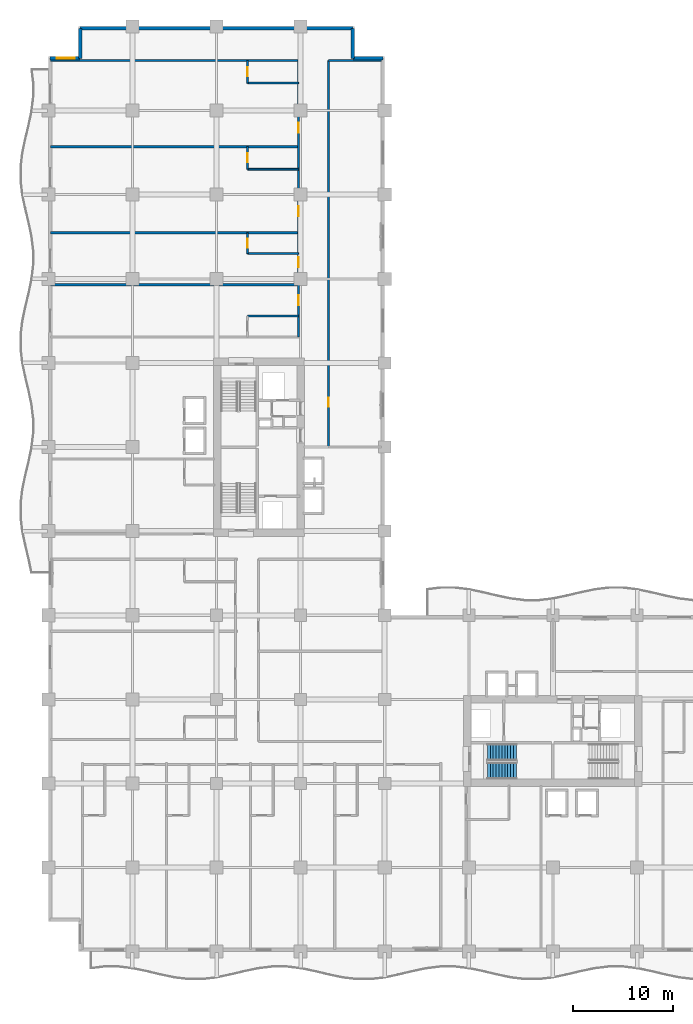
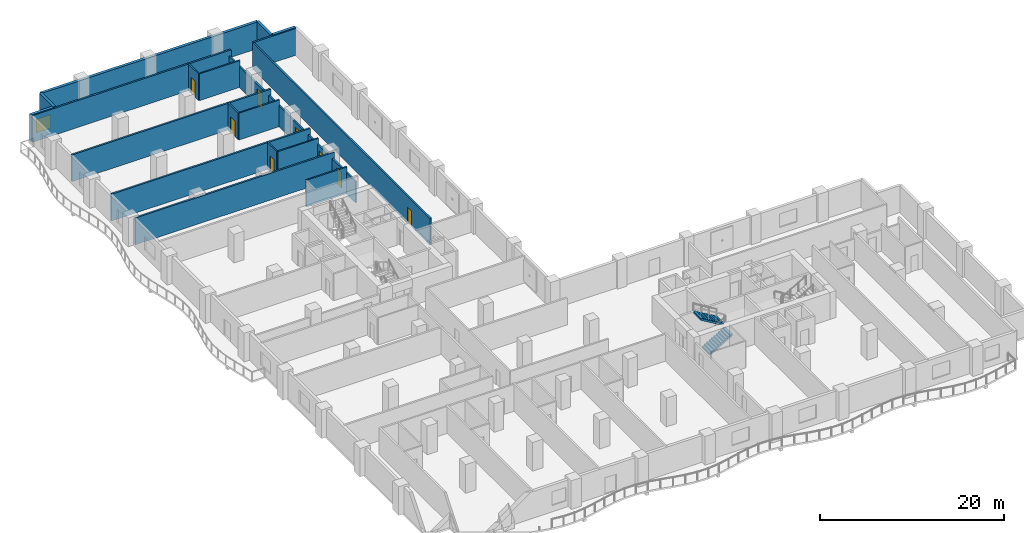
# One storey, part 11 of 18: 19 walls, 8 doors, 2 stair flights, 1 window, 9 openings, 1 element without a shape of its own.
"""IFC4 building model written with IfcOpenShell, lengths in metres."""

from ifc_helpers import new_model, si_unit, direction, frame, frame_2d, origin, place, context, subcontext, project, spatial, polyline, rectangle, outline, extrude, material, layer, layer_set, type_object, element, fill, aggregate, save


model = new_model("IFC4")

# Units and contexts
model_context = context("Model", 3, precision=1e-05, world=origin(), true_north=direction((0.0, 1.0)))
body_context = subcontext(model_context, "Body", "Model", "MODEL_VIEW")
ifc_project = project(units=[si_unit("LENGTHUNIT", "METRE"), si_unit("AREAUNIT", "SQUARE_METRE"), si_unit("VOLUMEUNIT", "CUBIC_METRE"), si_unit("PLANEANGLEUNIT", "RADIAN"), si_unit("MASSUNIT", "GRAM", prefix="KILO")], contexts=[model_context])

# Site, building, storey
site_placement = place(None, origin())
site = spatial("IfcSite", under=ifc_project, at=site_placement, CompositionType="ELEMENT")
building_placement = place(site_placement, origin())
building = spatial("IfcBuilding", under=site, at=building_placement, Name="Koriwani Terraces Tower", CompositionType="ELEMENT")
storey_placement = place(building_placement, frame((0.0, 0.0, 100.0)))
storey = spatial("IfcBuildingStorey", under=building, at=storey_placement, Name="L23", CompositionType="ELEMENT", Elevation=100.0)

# Wall, openings, doors
ifc_material_1 = material(Name="Autoclaved Cellular Concrete Blockwork", Category="masonry")
ifc_layer_1 = layer(ifc_material_1, 0.199951171875, Name="Autoclaved Cellular Concrete Blockwork")
ifc_layer_set_1 = layer_set([ifc_layer_1], Name="Autoclaved Cellular Concrete Blockwork")
wall_type_1 = type_object("IfcWallType", Name="WALL_CORRIDOR_200", PredefinedType="PARTITIONING", material=ifc_layer_set_1)
wall_1_placement = place(storey_placement, frame((25.0, 61.39990234375, 0.0), z_axis=(0.0, 0.0, 1.0), x_axis=(0.0, 1.0, 0.0)))
wall_1 = element("IfcWall", 1, at=wall_1_placement, inside=storey, type_object=wall_type_1, Name="L23 Interior Wall WCOR-L23-NE-0", PredefinedType="PARTITIONING", context=body_context, shape_type="SweptSolid", body=[
    extrude(rectangle(XDim=27.60009765625, YDim=0.199951171875, at=frame_2d((13.800048828125, 0.0))), origin(), (0.0, 0.0, 1.0), 2.800048828125),
])
opening_1_placement = place(wall_1_placement, frame((3.179931640625, 0.0, 0.0)))
opening_1 = element("IfcOpeningElement", 2, at=opening_1_placement, cuts=wall_1, Name="Opening D-05", PredefinedType="OPENING", context=body_context, shape_type="SweptSolid", body=[
    extrude(rectangle(XDim=1.0, YDim=2.14990234375, at=frame_2d((0.5, 1.074951171875))), frame((0.0, 0.10986328125, 0.0), z_axis=(0.0, -1.0, 0.0), x_axis=(1.0, 0.0, 0.0)), (0.0, 0.0, 1.0), 0.219970703125),
])
opening_2_placement = place(wall_1_placement, frame((6.969970703125, 0.0, 0.0)))
opening_2 = element("IfcOpeningElement", 3, at=opening_2_placement, cuts=wall_1, Name="Opening D-05", PredefinedType="OPENING", context=body_context, shape_type="SweptSolid", body=[
    extrude(rectangle(XDim=1.0, YDim=2.14990234375, at=frame_2d((0.5, 1.074951171875))), frame((0.0, 0.10986328125, 0.0), z_axis=(0.0, -1.0, 0.0), x_axis=(1.0, 0.0, 0.0)), (0.0, 0.0, 1.0), 0.219970703125),
])
opening_3_placement = place(wall_1_placement, frame((12.034912109375, 0.0, 0.0)))
opening_3 = element("IfcOpeningElement", 4, at=opening_3_placement, cuts=wall_1, Name="Opening D-05", PredefinedType="OPENING", context=body_context, shape_type="SweptSolid", body=[
    extrude(rectangle(XDim=1.0, YDim=2.14990234375, at=frame_2d((0.5, 1.074951171875))), frame((0.0, 0.10986328125, 0.0), z_axis=(0.0, -1.0, 0.0), x_axis=(1.0, 0.0, 0.0)), (0.0, 0.0, 1.0), 0.219970703125),
])
opening_4_placement = place(wall_1_placement, frame((20.385009765625, 0.0, 0.0)))
opening_4 = element("IfcOpeningElement", 5, at=opening_4_placement, cuts=wall_1, Name="Opening D-05", PredefinedType="OPENING", context=body_context, shape_type="SweptSolid", body=[
    extrude(rectangle(XDim=1.0, YDim=2.14990234375, at=frame_2d((0.5, 1.074951171875))), frame((0.0, 0.10986328125, 0.0), z_axis=(0.0, -1.0, 0.0), x_axis=(1.0, 0.0, 0.0)), (0.0, 0.0, 1.0), 0.219970703125),
])
ifc_material_2 = material(Name="Architectural Oak Fire Door", Category="wood")
door_type_1 = type_object("IfcDoorType", Name="DOOR_SUITE_ENTRY_1000X2150", OperationType="NOTDEFINED", PredefinedType="DOOR", material=ifc_material_2)
door_1_placement = place(opening_1_placement, origin())
door_1 = element("IfcDoor", 6, at=door_1_placement, inside=storey, type_object=door_type_1, Name="Luxury Hotel Suite 23NE1 Entrance Door", OperationType="SINGLE_SWING_LEFT", OverallHeight=2.14990234375, OverallWidth=1.0, PredefinedType="DOOR", context=body_context, shape_type="SweptSolid", body=[
    extrude(rectangle(XDim=1.0, YDim=2.14990234375, at=frame_2d((0.5, 1.074951171875))), frame((0.0, 0.02490234375, 0.0), z_axis=(0.0, -1.0, 0.0), x_axis=(1.0, 0.0, 0.0)), (0.0, 0.0, 1.0), 0.050048828125),
])
fill(opening_1, door_1)
door_2_placement = place(opening_2_placement, origin())
door_2 = element("IfcDoor", 7, at=door_2_placement, inside=storey, type_object=door_type_1, Name="Luxury Hotel Suite 23NE2 Entrance Door", OperationType="SINGLE_SWING_LEFT", OverallHeight=2.14990234375, OverallWidth=1.0, PredefinedType="DOOR", context=body_context, shape_type="SweptSolid", body=[
    extrude(rectangle(XDim=1.0, YDim=2.14990234375, at=frame_2d((0.5, 1.074951171875))), frame((0.0, 0.02490234375, 0.0), z_axis=(0.0, -1.0, 0.0), x_axis=(1.0, 0.0, 0.0)), (0.0, 0.0, 1.0), 0.050048828125),
])
fill(opening_2, door_2)
door_3_placement = place(opening_3_placement, origin())
door_3 = element("IfcDoor", 8, at=door_3_placement, inside=storey, type_object=door_type_1, Name="Luxury Hotel Suite 23NE3 Entrance Door", OperationType="SINGLE_SWING_LEFT", OverallHeight=2.14990234375, OverallWidth=1.0, PredefinedType="DOOR", context=body_context, shape_type="SweptSolid", body=[
    extrude(rectangle(XDim=1.0, YDim=2.14990234375, at=frame_2d((0.5, 1.074951171875))), frame((0.0, 0.02490234375, 0.0), z_axis=(0.0, -1.0, 0.0), x_axis=(1.0, 0.0, 0.0)), (0.0, 0.0, 1.0), 0.050048828125),
])
fill(opening_3, door_3)
door_4_placement = place(opening_4_placement, origin())
door_4 = element("IfcDoor", 9, at=door_4_placement, inside=storey, type_object=door_type_1, Name="Luxury Hotel Suite 23NE4 Entrance Door", OperationType="SINGLE_SWING_LEFT", OverallHeight=2.14990234375, OverallWidth=1.0, PredefinedType="DOOR", context=body_context, shape_type="SweptSolid", body=[
    extrude(rectangle(XDim=1.0, YDim=2.14990234375, at=frame_2d((0.5, 1.074951171875))), frame((0.0, 0.02490234375, 0.0), z_axis=(0.0, -1.0, 0.0), x_axis=(1.0, 0.0, 0.0)), (0.0, 0.0, 1.0), 0.050048828125),
])
fill(opening_4, door_4)

# Wall, opening, door
wall_2_placement = place(storey_placement, frame((28.0, 50.39990234375, 0.0), z_axis=(0.0, 0.0, 1.0), x_axis=(0.0, 1.0, 0.0)))
wall_2 = element("IfcWall", 10, at=wall_2_placement, inside=storey, type_object=wall_type_1, Name="L23 Interior Wall WNEC-W-L23", PredefinedType="PARTITIONING", context=body_context, shape_type="SweptSolid", body=[
    extrude(rectangle(XDim=38.60009765625, YDim=0.199951171875, at=frame_2d((19.300048828125, 0.0))), origin(), (0.0, 0.0, 1.0), 3.550048828125),
])
opening_5_placement = place(wall_2_placement, frame((4.0, 0.0, 0.0)))
opening_5 = element("IfcOpeningElement", 11, at=opening_5_placement, cuts=wall_2, Name="Opening D-06", PredefinedType="OPENING", context=body_context, shape_type="SweptSolid", body=[
    extrude(rectangle(XDim=0.919921875, YDim=2.10009765625, at=frame_2d((0.4599609375, 1.050048828125))), frame((0.0, 0.10986328125, 0.0), z_axis=(0.0, -1.0, 0.0), x_axis=(1.0, 0.0, 0.0)), (0.0, 0.0, 1.0), 0.219970703125),
])
door_type_2 = type_object("IfcDoorType", Name="DOOR_ROOM_INT_920X2100", OperationType="NOTDEFINED", PredefinedType="DOOR", material=ifc_material_2)
door_5_placement = place(opening_5_placement, origin())
door_5 = element("IfcDoor", 12, at=door_5_placement, inside=storey, type_object=door_type_2, Name="L23 North Court Study Door", OperationType="SINGLE_SWING_LEFT", OverallHeight=2.10009765625, OverallWidth=0.919921875, PredefinedType="DOOR", context=body_context, shape_type="SweptSolid", body=[
    extrude(rectangle(XDim=0.919921875, YDim=2.10009765625, at=frame_2d((0.4599609375, 1.050048828125))), frame((0.0, 0.02490234375, 0.0), z_axis=(0.0, -1.0, 0.0), x_axis=(1.0, 0.0, 0.0)), (0.0, 0.0, 1.0), 0.050048828125),
])
fill(opening_5, door_5)

# Walls
ifc_layer_2 = layer(ifc_material_1, 0.219970703125, Name="Autoclaved Cellular Concrete Blockwork")
ifc_layer_set_2 = layer_set([ifc_layer_2], Name="Autoclaved Cellular Concrete Blockwork")
wall_type_2 = type_object("IfcWallType", Name="WALL_DEMISING_220", PredefinedType="PARTITIONING", material=ifc_layer_set_2)
for number, where, z_axis, x_axis, name in (
    (13, (0.199951171875, 66.60009765625, 0.0), (0.0, 0.0, 1.0), (1.0, 0.0, 0.0), "L23 Interior Wall WDEM-L23-NE-1"),
    (14, (0.199951171875, 71.800048828125, 0.0), (0.0, 0.0, 1.0), (1.0, 0.0, 0.0), "L23 Interior Wall WDEM-L23-NE-2"),
    (15, (0.199951171875, 80.39990234375, 0.0), (0.0, 0.0, 1.0), (1.0, 0.0, 0.0), "L23 Interior Wall WDEM-L23-NE-3"),
    (16, (0.199951171875, 89.0, 0.0), (0.0, 0.0, 1.0), (1.0, 0.0, 0.0), "L23 Interior Wall WDEME-L23-NE"),
):
    element("IfcWall", number, at=place(storey_placement, frame(where, z_axis=z_axis, x_axis=x_axis)), inside=storey, type_object=wall_type_2, Name=name, PredefinedType="PARTITIONING", context=body_context, shape_type="SweptSolid", body=[
        extrude(rectangle(XDim=24.97998046875, YDim=0.219970703125, at=frame_2d((12.489990234375, 0.0))), origin(), (0.0, 0.0, 1.0), 3.550048828125),
    ])
wall_3_placement = place(storey_placement, frame((28.0, 89.0, 0.0), z_axis=(0.0, 0.0, 1.0), x_axis=(1.0, 0.0, 0.0)))
element("IfcWall", 17, at=wall_3_placement, inside=storey, type_object=wall_type_2, Name="L23 Interior Wall WNEC-N-L23", PredefinedType="PARTITIONING", context=body_context, shape_type="SweptSolid", body=[
    extrude(rectangle(XDim=5.300048828125, YDim=0.219970703125, at=frame_2d((2.64990234375, 0.0))), origin(), (0.0, 0.0, 1.0), 3.550048828125),
])

# Wall, opening, window
ifc_material_3 = material(Name="Concrete C50/60", Category="concrete")
ifc_layer_3 = layer(ifc_material_3, 0.35009765625, Name="Concrete C50/60")
ifc_layer_set_3 = layer_set([ifc_layer_3], Name="Concrete C50/60")
wall_type_3 = type_object("IfcWallType", Name="WALL_EXT_BRUTALIST_350", PredefinedType="STANDARD", material=ifc_layer_set_3)
wall_4_placement = place(storey_placement, frame((0.175048828125, 89.22509765625, 0.0), z_axis=(0.0, 0.0, 1.0), x_axis=(1.0, 0.0, 0.0)))
wall_4 = element("IfcWall", 18, at=wall_4_placement, inside=storey, type_object=wall_type_3, Name="L23 Fair-Faced Brutalist Exterior Wall (N3)", PredefinedType="STANDARD", context=body_context, shape_type="SweptSolid", body=[
    extrude(rectangle(XDim=3.0, YDim=0.35009765625, at=frame_2d((1.5, 0.0))), origin(), (0.0, 0.0, 1.0), 3.550048828125),
])
opening_6_placement = place(wall_4_placement, frame((0.677490234375, 0.0, 0.85009765625)))
opening_6 = element("IfcOpeningElement", 19, at=opening_6_placement, cuts=wall_4, Name="Opening W-04", PredefinedType="OPENING", context=body_context, shape_type="SweptSolid", body=[
    extrude(rectangle(XDim=1.800048828125, YDim=1.800048828125, at=frame_2d((0.89990234375, 0.89990234375))), frame((0.0, 0.18505859375, 0.0), z_axis=(0.0, -1.0, 0.0), x_axis=(1.0, 0.0, 0.0)), (0.0, 0.0, 1.0), 0.3701171875),
])
ifc_material_4 = material(Name="Tempered Laminated Low-E Glass", Category="glass")
window_type = type_object("IfcWindowType", Name="WIN_RES_BED_1800X1800", PartitioningType="DOUBLE_PANEL_VERTICAL", PredefinedType="WINDOW", material=ifc_material_4)
window_placement = place(opening_6_placement, origin())
window = element("IfcWindow", 20, at=window_placement, inside=storey, type_object=window_type, Name="L23 Exterior Window (N3-R50)", OverallHeight=1.800048828125, OverallWidth=1.800048828125, PartitioningType="SINGLE_PANEL", PredefinedType="WINDOW", context=body_context, shape_type="SweptSolid", body=[
    extrude(rectangle(XDim=1.800048828125, YDim=1.800048828125, at=frame_2d((0.89990234375, 0.89990234375))), frame((0.0, 0.030029296875, 0.0), z_axis=(0.0, -1.0, 0.0), x_axis=(1.0, 0.0, 0.0)), (0.0, 0.0, 1.0), 0.06005859375),
])
fill(opening_6, window)

# Walls
wall_5_placement = place(storey_placement, frame((3.175048828125, 89.22509765625, 0.0), z_axis=(0.0, 0.0, 1.0), x_axis=(0.0, 1.0, 0.0)))
element("IfcWall", 21, at=wall_5_placement, inside=storey, type_object=wall_type_3, Name="L23 Fair-Faced Brutalist Exterior Wall (N4)", PredefinedType="STANDARD", context=body_context, shape_type="SweptSolid", body=[
    extrude(rectangle(XDim=3.0, YDim=0.35009765625, at=frame_2d((1.5, 0.0))), origin(), (0.0, 0.0, 1.0), 3.550048828125),
])
wall_6_placement = place(storey_placement, frame((3.175048828125, 92.22509765625, 0.0), z_axis=(0.0, 0.0, 1.0), x_axis=(1.0, 0.0, 0.0)))
element("IfcWall", 22, at=wall_6_placement, inside=storey, type_object=wall_type_3, Name="L23 Fair-Faced Brutalist Exterior Wall (N_TIP)", PredefinedType="STANDARD", context=body_context, shape_type="SweptSolid", body=[
    extrude(rectangle(XDim=27.25, YDim=0.35009765625, at=frame_2d((13.625, 0.0))), origin(), (0.0, 0.0, 1.0), 3.550048828125),
])
for number, where, z_axis, x_axis, name in (
    (23, (30.425048828125, 92.22509765625, 0.0), (0.0, 0.0, 1.0), (0.0, -1.0, 0.0), "L23 Fair-Faced Brutalist Exterior Wall (N6)"),
    (24, (30.425048828125, 89.22509765625, 0.0), (0.0, 0.0, 1.0), (1.0, 0.0, 0.0), "L23 Fair-Faced Brutalist Exterior Wall (N7)"),
):
    element("IfcWall", number, at=place(storey_placement, frame(where, z_axis=z_axis, x_axis=x_axis)), inside=storey, type_object=wall_type_3, Name=name, PredefinedType="STANDARD", context=body_context, shape_type="SweptSolid", body=[
        extrude(rectangle(XDim=3.0, YDim=0.35009765625, at=frame_2d((1.5, 0.0))), origin(), (0.0, 0.0, 1.0), 3.550048828125),
    ])
ifc_material_5 = material(Name="Fire-Rated Acoustic Gypsum Partition", Category="masonry")
ifc_layer_4 = layer(ifc_material_5, 0.179931640625, Name="Fire-Rated Acoustic Gypsum Partition")
ifc_layer_set_4 = layer_set([ifc_layer_4], Name="Fire-Rated Acoustic Gypsum Partition")
wall_type_4 = type_object("IfcWallType", Name="WALL_PLUMBING_180", PredefinedType="PLUMBINGWALL", material=ifc_layer_set_4)
wall_7_placement = place(storey_placement, frame((19.89990234375, 63.47998046875, 0.0), z_axis=(0.0, 0.0, 1.0), x_axis=(1.0, 0.0, 0.0)))
element("IfcWall", 25, at=wall_7_placement, inside=storey, type_object=wall_type_4, Name="L23 Interior Wall WBTH2-L23-NE-0", PredefinedType="PLUMBINGWALL", context=body_context, shape_type="SweptSolid", body=[
    extrude(rectangle(XDim=5.10009765625, YDim=0.179931640625, at=frame_2d((2.550048828125, 0.0))), origin(), (0.0, 0.0, 1.0), 3.550048828125),
])

# Wall, opening, door
wall_8_placement = place(storey_placement, frame((19.89990234375, 69.719970703125, 0.0), z_axis=(0.0, 0.0, 1.0), x_axis=(0.0, 1.0, 0.0)))
wall_8 = element("IfcWall", 26, at=wall_8_placement, inside=storey, type_object=wall_type_4, Name="L23 Interior Wall WBTH1-L23-NE-1", PredefinedType="PLUMBINGWALL", context=body_context, shape_type="SweptSolid", body=[
    extrude(rectangle(XDim=2.080078125, YDim=0.179931640625, at=frame_2d((1.0400390625, 0.0))), origin(), (0.0, 0.0, 1.0), 3.550048828125),
])
opening_7_placement = place(wall_8_placement, frame((0.590087890625, 0.0, 0.0)))
opening_7 = element("IfcOpeningElement", 27, at=opening_7_placement, cuts=wall_8, Name="Opening D-07", PredefinedType="OPENING", context=body_context, shape_type="SweptSolid", body=[
    extrude(rectangle(XDim=0.89990234375, YDim=2.10009765625, at=frame_2d((0.449951171875, 1.050048828125))), frame((0.0, 0.10009765625, 0.0), z_axis=(0.0, -1.0, 0.0), x_axis=(1.0, 0.0, 0.0)), (0.0, 0.0, 1.0), 0.199951171875),
])
door_type_3 = type_object("IfcDoorType", Name="DOOR_BATH_INT_900X2100", OperationType="NOTDEFINED", PredefinedType="DOOR", material=ifc_material_2)
door_6_placement = place(opening_7_placement, origin())
door_6 = element("IfcDoor", 28, at=door_6_placement, inside=storey, type_object=door_type_3, Name="En-Suite Bathroom 23NE2 Door", OperationType="SINGLE_SWING_RIGHT", OverallHeight=2.10009765625, OverallWidth=0.89990234375, PredefinedType="DOOR", context=body_context, shape_type="SweptSolid", body=[
    extrude(rectangle(XDim=0.89990234375, YDim=2.10009765625, at=frame_2d((0.449951171875, 1.050048828125))), frame((0.0, 0.02490234375, 0.0), z_axis=(0.0, -1.0, 0.0), x_axis=(1.0, 0.0, 0.0)), (0.0, 0.0, 1.0), 0.050048828125),
])
fill(opening_7, door_6)

# Wall
wall_9_placement = place(storey_placement, frame((19.89990234375, 69.719970703125, 0.0), z_axis=(0.0, 0.0, 1.0), x_axis=(1.0, 0.0, 0.0)))
element("IfcWall", 29, at=wall_9_placement, inside=storey, type_object=wall_type_4, Name="L23 Interior Wall WBTH2-L23-NE-1", PredefinedType="PLUMBINGWALL", context=body_context, shape_type="SweptSolid", body=[
    extrude(rectangle(XDim=5.10009765625, YDim=0.179931640625, at=frame_2d((2.550048828125, 0.0))), origin(), (0.0, 0.0, 1.0), 3.550048828125),
])

# Wall, opening, door
wall_10_placement = place(storey_placement, frame((19.89990234375, 78.14990234375, 0.0), z_axis=(0.0, 0.0, 1.0), x_axis=(0.0, 1.0, 0.0)))
wall_10 = element("IfcWall", 30, at=wall_10_placement, inside=storey, type_object=wall_type_4, Name="L23 Interior Wall WBTH1-L23-NE-2", PredefinedType="PLUMBINGWALL", context=body_context, shape_type="SweptSolid", body=[
    extrude(rectangle(XDim=2.25, YDim=0.179931640625, at=frame_2d((1.125, 0.0))), origin(), (0.0, 0.0, 1.0), 3.550048828125),
])
opening_8_placement = place(wall_10_placement, frame((0.675048828125, 0.0, 0.0)))
opening_8 = element("IfcOpeningElement", 31, at=opening_8_placement, cuts=wall_10, Name="Opening D-07", PredefinedType="OPENING", context=body_context, shape_type="SweptSolid", body=[
    extrude(rectangle(XDim=0.89990234375, YDim=2.10009765625, at=frame_2d((0.449951171875, 1.050048828125))), frame((0.0, 0.10009765625, 0.0), z_axis=(0.0, -1.0, 0.0), x_axis=(1.0, 0.0, 0.0)), (0.0, 0.0, 1.0), 0.199951171875),
])
door_7_placement = place(opening_8_placement, origin())
door_7 = element("IfcDoor", 32, at=door_7_placement, inside=storey, type_object=door_type_3, Name="En-Suite Bathroom 23NE3 Door", OperationType="SINGLE_SWING_RIGHT", OverallHeight=2.10009765625, OverallWidth=0.89990234375, PredefinedType="DOOR", context=body_context, shape_type="SweptSolid", body=[
    extrude(rectangle(XDim=0.89990234375, YDim=2.10009765625, at=frame_2d((0.449951171875, 1.050048828125))), frame((0.0, 0.02490234375, 0.0), z_axis=(0.0, -1.0, 0.0), x_axis=(1.0, 0.0, 0.0)), (0.0, 0.0, 1.0), 0.050048828125),
])
fill(opening_8, door_7)

# Wall
wall_11_placement = place(storey_placement, frame((19.89990234375, 78.14990234375, 0.0), z_axis=(0.0, 0.0, 1.0), x_axis=(1.0, 0.0, 0.0)))
element("IfcWall", 33, at=wall_11_placement, inside=storey, type_object=wall_type_4, Name="L23 Interior Wall WBTH2-L23-NE-2", PredefinedType="PLUMBINGWALL", context=body_context, shape_type="SweptSolid", body=[
    extrude(rectangle(XDim=5.10009765625, YDim=0.179931640625, at=frame_2d((2.550048828125, 0.0))), origin(), (0.0, 0.0, 1.0), 3.550048828125),
])

# Wall, opening, door
wall_12_placement = place(storey_placement, frame((19.89990234375, 86.75, 0.0), z_axis=(0.0, 0.0, 1.0), x_axis=(0.0, 1.0, 0.0)))
wall_12 = element("IfcWall", 34, at=wall_12_placement, inside=storey, type_object=wall_type_4, Name="L23 Interior Wall WBTH1-L23-NE-3", PredefinedType="PLUMBINGWALL", context=body_context, shape_type="SweptSolid", body=[
    extrude(rectangle(XDim=2.25, YDim=0.179931640625, at=frame_2d((1.125, 0.0))), origin(), (0.0, 0.0, 1.0), 3.550048828125),
])
opening_9_placement = place(wall_12_placement, frame((0.675048828125, 0.0, 0.0)))
opening_9 = element("IfcOpeningElement", 35, at=opening_9_placement, cuts=wall_12, Name="Opening D-07", PredefinedType="OPENING", context=body_context, shape_type="SweptSolid", body=[
    extrude(rectangle(XDim=0.89990234375, YDim=2.10009765625, at=frame_2d((0.449951171875, 1.050048828125))), frame((0.0, 0.10009765625, 0.0), z_axis=(0.0, -1.0, 0.0), x_axis=(1.0, 0.0, 0.0)), (0.0, 0.0, 1.0), 0.199951171875),
])
door_8_placement = place(opening_9_placement, origin())
door_8 = element("IfcDoor", 36, at=door_8_placement, inside=storey, type_object=door_type_3, Name="En-Suite Bathroom 23NE4 Door", OperationType="SINGLE_SWING_RIGHT", OverallHeight=2.10009765625, OverallWidth=0.89990234375, PredefinedType="DOOR", context=body_context, shape_type="SweptSolid", body=[
    extrude(rectangle(XDim=0.89990234375, YDim=2.10009765625, at=frame_2d((0.449951171875, 1.050048828125))), frame((0.0, 0.02490234375, 0.0), z_axis=(0.0, -1.0, 0.0), x_axis=(1.0, 0.0, 0.0)), (0.0, 0.0, 1.0), 0.050048828125),
])
fill(opening_9, door_8)

# Wall
wall_13_placement = place(storey_placement, frame((19.89990234375, 86.75, 0.0), z_axis=(0.0, 0.0, 1.0), x_axis=(1.0, 0.0, 0.0)))
element("IfcWall", 37, at=wall_13_placement, inside=storey, type_object=wall_type_4, Name="L23 Interior Wall WBTH2-L23-NE-3", PredefinedType="PLUMBINGWALL", context=body_context, shape_type="SweptSolid", body=[
    extrude(rectangle(XDim=5.10009765625, YDim=0.179931640625, at=frame_2d((2.550048828125, 0.0))), origin(), (0.0, 0.0, 1.0), 3.550048828125),
])

# Stair, stair flights
ifc_material_6 = material(Name="Concrete C40/50", Category="concrete")
stair_type = type_object("IfcStairType", Name="STAIR_CORE_DOGLEG_1650", PredefinedType="TWO_STRAIGHT_RUN_STAIR", material=ifc_material_6)
stair_placement = place(storey_placement, origin())
stair = element("IfcStair", 38, at=stair_placement, inside=storey, type_object=stair_type, Name="L23 East Core Exit Stair 1", PredefinedType="HALF_TURN_STAIR")
stair_flight_type = type_object("IfcStairFlightType", Name="STAIR_FLIGHT_RC_1650", PredefinedType="STRAIGHT", material=ifc_material_6)
stair_flight_1_placement = place(storey_placement, frame((43.85009765625, 18.074951171875, 0.0), z_axis=(0.0, 0.0, 1.0), x_axis=(1.0, 0.0, 0.0)))
stair_flight_1 = element("IfcStairFlight", 39, at=stair_flight_1_placement, type_object=stair_flight_type, Name="ST-E1 flight 1", NumberOfRisers=11, NumberOfTreads=10, PredefinedType="STRAIGHT", RiserHeight=0.172727273, TreadLength=0.29, context=body_context, shape_type="SweptSolid", body=[
    extrude(outline(polyline([(0.0, 0.0), (0.0, 0.172607421875), (0.2900390625, 0.172607421875), (0.2900390625, 0.345458984375), (0.580078125, 0.345458984375), (0.580078125, 0.51806640625), (0.8701171875, 0.51806640625), (0.8701171875, 0.69091796875), (1.159912109375, 0.69091796875), (1.159912109375, 0.863525390625), (1.449951171875, 0.863525390625), (1.449951171875, 1.036376953125), (1.739990234375, 1.036376953125), (1.739990234375, 1.208984375), (2.030029296875, 1.208984375), (2.030029296875, 1.3818359375), (2.320068359375, 1.3818359375), (2.320068359375, 1.554443359375), (2.610107421875, 1.554443359375), (2.610107421875, 1.727294921875), (2.89990234375, 1.727294921875), (2.89990234375, 1.89990234375), (2.89990234375, 1.517822265625), (0.3515625, 0.0), (0.0, 0.0)])), frame((0.0, 0.824951171875, 0.0), z_axis=(0.0, -1.0, 0.0), x_axis=(1.0, 0.0, 0.0)), (0.0, 0.0, 1.0), 1.64990234375),
])
stair_flight_2_placement = place(storey_placement, frame((46.75, 19.925048828125, 1.89990234375), z_axis=(0.0, 0.0, 1.0), x_axis=(-1.0, 0.0, 0.0)))
stair_flight_2 = element("IfcStairFlight", 40, at=stair_flight_2_placement, type_object=stair_flight_type, Name="ST-E1 flight 2", NumberOfRisers=11, NumberOfTreads=10, PredefinedType="STRAIGHT", RiserHeight=0.172727273, TreadLength=0.29, context=body_context, shape_type="SweptSolid", body=[
    extrude(outline(polyline([(0.0, 0.0), (0.0, 0.172607421875), (0.2900390625, 0.172607421875), (0.2900390625, 0.345458984375), (0.580078125, 0.345458984375), (0.580078125, 0.51806640625), (0.8701171875, 0.51806640625), (0.8701171875, 0.69091796875), (1.159912109375, 0.69091796875), (1.159912109375, 0.863525390625), (1.449951171875, 0.863525390625), (1.449951171875, 1.036376953125), (1.739990234375, 1.036376953125), (1.739990234375, 1.208984375), (2.030029296875, 1.208984375), (2.030029296875, 1.3818359375), (2.320068359375, 1.3818359375), (2.320068359375, 1.554443359375), (2.610107421875, 1.554443359375), (2.610107421875, 1.727294921875), (2.89990234375, 1.727294921875), (2.89990234375, 1.89990234375), (2.89990234375, 1.517822265625), (0.3515625, 0.0), (0.0, 0.0)])), frame((0.0, 0.824951171875, 0.0), z_axis=(0.0, -1.0, 0.0), x_axis=(1.0, 0.0, 0.0)), (0.0, 0.0, 1.0), 1.64990234375),
])
aggregate(stair, [stair_flight_1, stair_flight_2])

save(model, "model.ifc")
